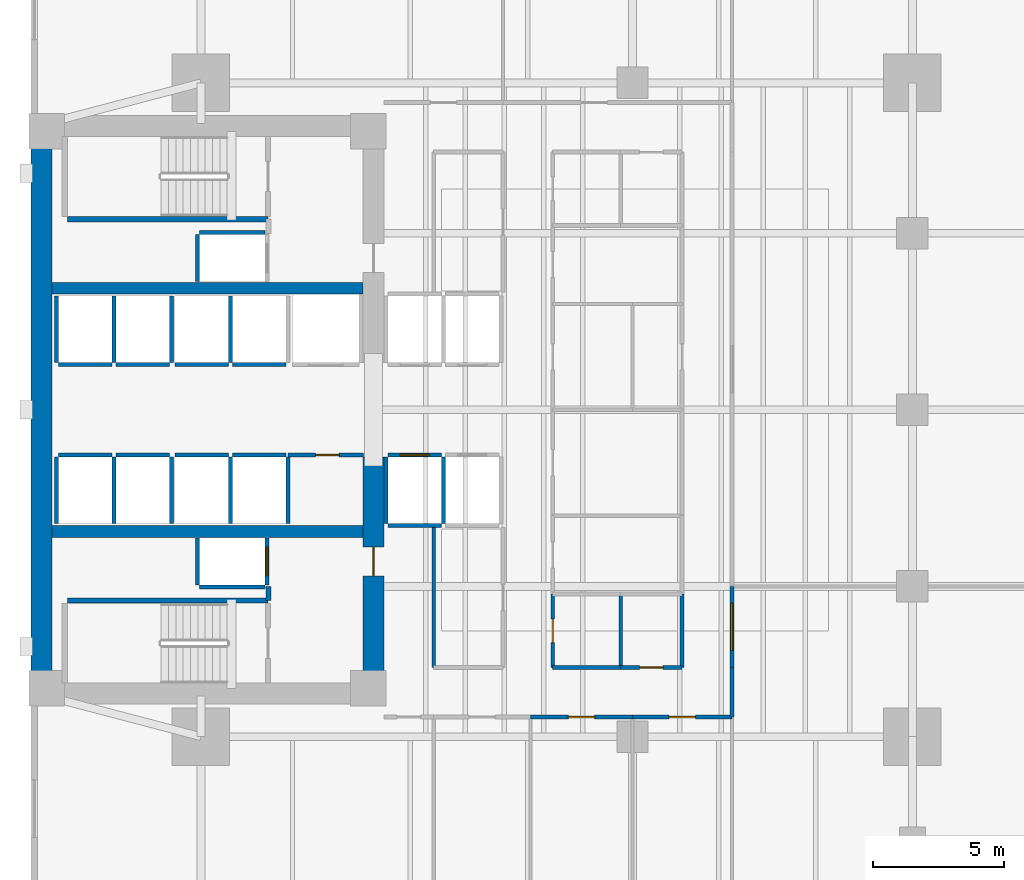
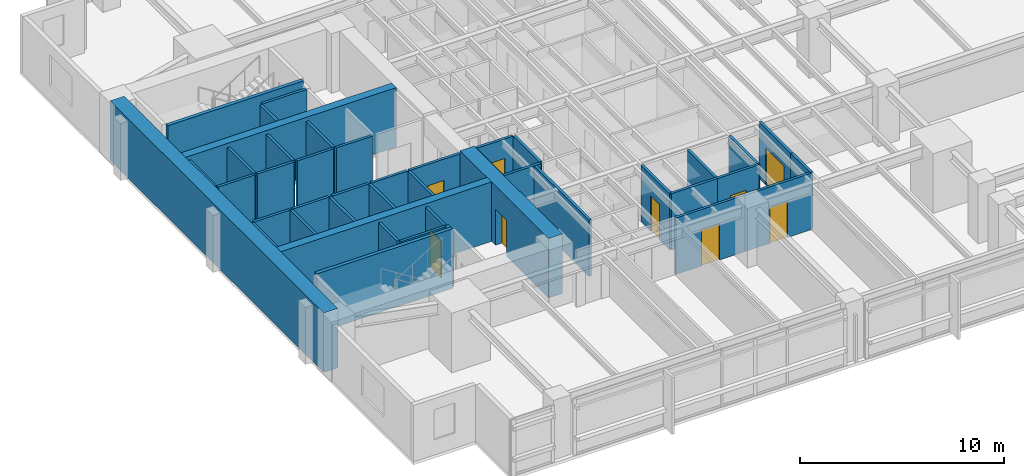
# One storey, part 8 of 15: 44 walls, 9 doors, 9 openings.
"""IFC4 building model written with IfcOpenShell, lengths in metres."""

from ifc_helpers import new_model, si_unit, direction, frame, frame_2d, origin, place, context, subcontext, project, spatial, rectangle, extrude, material, layer, layer_set, type_object, element, fill, save


model = new_model("IFC4")

# Units and contexts
model_context = context("Model", 3, precision=1e-05, world=origin(), true_north=direction((0.0, 1.0)))
body_context = subcontext(model_context, "Body", "Model", "MODEL_VIEW")
ifc_project = project(units=[si_unit("LENGTHUNIT", "METRE"), si_unit("AREAUNIT", "SQUARE_METRE"), si_unit("VOLUMEUNIT", "CUBIC_METRE"), si_unit("PLANEANGLEUNIT", "RADIAN"), si_unit("MASSUNIT", "GRAM", prefix="KILO")], contexts=[model_context])

# Site, building, storey
site_placement = place(None, origin())
site = spatial("IfcSite", under=ifc_project, at=site_placement, CompositionType="ELEMENT")
building_placement = place(site_placement, origin())
building = spatial("IfcBuilding", under=site, at=building_placement, Name="Kinhvarn Gate Tower", CompositionType="ELEMENT")
storey_placement = place(building_placement, frame((0.0, 0.0, 85.949951171875)))
storey = spatial("IfcBuildingStorey", under=building, at=storey_placement, Name="L22", CompositionType="ELEMENT", Elevation=85.949951171875)

# Walls
ifc_material_1 = material(Name="Concrete C50/60", Category="concrete")
ifc_layer_1 = layer(ifc_material_1, 0.449951171875)
ifc_layer_set_1 = layer_set([ifc_layer_1], Name="Concrete C50/60")
wall_type_1 = type_object("IfcWallType", Name="WL-CORE-450", PredefinedType="SHEAR", material=ifc_layer_set_1)
for number, where, z_axis, x_axis, name in (
    (1, (5.300048828125, 20.60009765625, 0.0), (0.0, 0.0, 1.0), (1.0, 0.0, 0.0), "Core South Spine Shear Wall L22 450 mm"),
    (2, (5.300048828125, 29.89990234375, 0.0), (0.0, 0.0, 1.0), (1.0, 0.0, 0.0), "Core North Spine Shear Wall L22 450 mm"),
):
    element("IfcWall", number, at=place(storey_placement, frame(where, z_axis=z_axis, x_axis=x_axis)), inside=storey, type_object=wall_type_1, Name=name, PredefinedType="SHEAR", context=body_context, shape_type="SweptSolid", body=[
        extrude(rectangle(XDim=11.89990234375, YDim=0.449951171875, at=frame_2d((5.949951171875, 0.0))), origin(), (0.0, 0.0, 1.0), 3.550048828125),
    ])

# Wall, opening, door
ifc_material_2 = material(Name="Concrete C70/85", Category="concrete")
ifc_layer_2 = layer(ifc_material_2, 0.800048828125)
ifc_layer_set_2 = layer_set([ifc_layer_2], Name="Concrete C70/85")
wall_type_2 = type_object("IfcWallType", Name="WL-CORE-800", PredefinedType="SHEAR", material=ifc_layer_set_2)
wall_1_placement = place(storey_placement, frame((17.60009765625, 14.800048828125, 0.0), z_axis=(0.0, 0.0, 1.0), x_axis=(0.0, 1.0, 0.0)))
wall_1 = element("IfcWall", 3, at=wall_1_placement, inside=storey, type_object=wall_type_2, Name="Core East-South Shear Pier L22 800 mm", PredefinedType="SHEAR", context=body_context, shape_type="SweptSolid", body=[
    extrude(rectangle(XDim=8.64990234375, YDim=0.800048828125, at=frame_2d((4.324951171875, 0.0))), origin(), (0.0, 0.0, 1.0), 3.550048828125),
])
opening_1_placement = place(wall_1_placement, frame((4.10009765625, 0.0, 0.0)))
opening_1 = element("IfcOpeningElement", 4, at=opening_1_placement, cuts=wall_1, Name="Opening FD-02", PredefinedType="OPENING", context=body_context, shape_type="SweptSolid", body=[
    extrude(rectangle(XDim=1.10009765625, YDim=2.14990234375, at=frame_2d((0.550048828125, 1.074951171875))), frame((0.0, 0.41015625, 0.0), z_axis=(0.0, -1.0, 0.0), x_axis=(1.0, 0.0, 0.0)), (0.0, 0.0, 1.0), 0.820068359375),
])
ifc_material_3 = material(Name="Anodised aluminium AW-6063", Category="aluminium")
door_type_1 = type_object("IfcDoorType", Name="DR-FD-1100", OperationType="NOTDEFINED", PredefinedType="DOOR", material=ifc_material_3)
door_1_placement = place(opening_1_placement, origin())
door_1 = element("IfcDoor", 5, at=door_1_placement, inside=storey, type_object=door_type_1, Name="Firefighting Lobby Core Door (L22)", OperationType="SINGLE_SWING_RIGHT", OverallHeight=2.14990234375, OverallWidth=1.10009765625, PredefinedType="DOOR", context=body_context, shape_type="SweptSolid", body=[
    extrude(rectangle(XDim=1.10009765625, YDim=2.14990234375, at=frame_2d((0.550048828125, 1.074951171875))), frame((0.0, 0.02490234375, 0.0), z_axis=(0.0, -1.0, 0.0), x_axis=(1.0, 0.0, 0.0)), (0.0, 0.0, 1.0), 0.050048828125),
])
fill(opening_1, door_1)

# Walls
ifc_layer_3 = layer(ifc_material_2, 0.800048828125)
ifc_layer_set_3 = layer_set([ifc_layer_3], Name="Concrete C70/85")
wall_type_3 = type_object("IfcWallType", Name="WL-COREX-800", PredefinedType="SHEAR", material=ifc_layer_set_3)
wall_2_placement = place(storey_placement, frame((4.89990234375, 14.800048828125, 0.0), z_axis=(0.0, 0.0, 1.0), x_axis=(0.0, 1.0, 0.0)))
element("IfcWall", 6, at=wall_2_placement, inside=storey, type_object=wall_type_3, Name="Core West Shear Wall L22 800 mm", PredefinedType="SHEAR", context=body_context, shape_type="SweptSolid", body=[
    extrude(rectangle(XDim=20.89990234375, YDim=0.800048828125, at=frame_2d((10.449951171875, 0.0))), origin(), (0.0, 0.0, 1.0), 3.550048828125),
])
ifc_material_4 = material(Name="Gypsum acoustic partition board")
ifc_layer_4 = layer(ifc_material_4, 0.14990234375)
ifc_layer_set_4 = layer_set([ifc_layer_4], Name="Gypsum acoustic partition board")
wall_type_4 = type_object("IfcWallType", Name="WL-PLM-150", PredefinedType="PLUMBINGWALL", material=ifc_layer_set_4)
wall_3_placement = place(storey_placement, frame((27.050048828125, 15.39990234375, 0.0), z_axis=(0.0, 0.0, 1.0), x_axis=(0.0, 1.0, 0.0)))
element("IfcWall", 7, at=wall_3_placement, inside=storey, type_object=wall_type_4, Name="Interior Partition PLW-150 (L22)", PredefinedType="PLUMBINGWALL", context=body_context, shape_type="SweptSolid", body=[
    extrude(rectangle(XDim=2.800048828125, YDim=0.14990234375, at=frame_2d((1.39990234375, 0.0))), origin(), (0.0, 0.0, 1.0), 3.3701171875),
])

# Wall, opening, door
ifc_layer_5 = layer(ifc_material_4, 0.14990234375)
ifc_layer_set_5 = layer_set([ifc_layer_5], Name="Gypsum acoustic partition board")
wall_type_5 = type_object("IfcWallType", Name="WL-PLM-150F", PredefinedType="PLUMBINGWALL", material=ifc_layer_set_5)
wall_4_placement = place(storey_placement, frame((24.449951171875, 15.39990234375, 0.0), z_axis=(0.0, 0.0, 1.0), x_axis=(0.0, 1.0, 0.0)))
wall_4 = element("IfcWall", 8, at=wall_4_placement, inside=storey, type_object=wall_type_5, Name="Interior Partition PLW-150F (L22)", PredefinedType="PLUMBINGWALL", context=body_context, shape_type="SweptSolid", body=[
    extrude(rectangle(XDim=2.800048828125, YDim=0.14990234375, at=frame_2d((1.39990234375, 0.0))), origin(), (0.0, 0.0, 1.0), 3.3701171875),
])
opening_2_placement = place(wall_4_placement, frame((0.949951171875, 0.0, 0.0)))
opening_2 = element("IfcOpeningElement", 9, at=opening_2_placement, cuts=wall_4, Name="Opening FD-04", PredefinedType="OPENING", context=body_context, shape_type="SweptSolid", body=[
    extrude(rectangle(XDim=0.89990234375, YDim=2.10009765625, at=frame_2d((0.449951171875, 1.050048828125))), frame((0.0, 0.0849609375, 0.0), z_axis=(0.0, -1.0, 0.0), x_axis=(1.0, 0.0, 0.0)), (0.0, 0.0, 1.0), 0.169921875),
])
door_type_2 = type_object("IfcDoorType", Name="DR-FD-900", OperationType="NOTDEFINED", PredefinedType="DOOR", material=ifc_material_3)
door_2_placement = place(opening_2_placement, origin())
door_2 = element("IfcDoor", 10, at=door_2_placement, inside=storey, type_object=door_type_2, Name="Rated Riser & Service Closet Fire Door 900x2100 mm (L22)", OperationType="SINGLE_SWING_LEFT", OverallHeight=2.10009765625, OverallWidth=0.89990234375, PredefinedType="DOOR", context=body_context, shape_type="SweptSolid", body=[
    extrude(rectangle(XDim=0.89990234375, YDim=2.10009765625, at=frame_2d((0.449951171875, 1.050048828125))), frame((0.0, 0.02490234375, 0.0), z_axis=(0.0, -1.0, 0.0), x_axis=(1.0, 0.0, 0.0)), (0.0, 0.0, 1.0), 0.050048828125),
])
fill(opening_2, door_2)

# Wall
wall_5_placement = place(storey_placement, frame((24.449951171875, 15.39990234375, 0.0), z_axis=(0.0, 0.0, 1.0), x_axis=(1.0, 0.0, 0.0)))
element("IfcWall", 11, at=wall_5_placement, inside=storey, type_object=wall_type_5, Name="Interior Partition PLW-150F (L22)", PredefinedType="PLUMBINGWALL", context=body_context, shape_type="SweptSolid", body=[
    extrude(rectangle(XDim=2.60009765625, YDim=0.14990234375, at=frame_2d((1.300048828125, 0.0))), origin(), (0.0, 0.0, 1.0), 3.3701171875),
])

# Wall, opening, door
wall_6_placement = place(storey_placement, frame((27.050048828125, 15.39990234375, 0.0), z_axis=(0.0, 0.0, 1.0), x_axis=(1.0, 0.0, 0.0)))
wall_6 = element("IfcWall", 12, at=wall_6_placement, inside=storey, type_object=wall_type_5, Name="Interior Partition PLW-150F (L22)", PredefinedType="PLUMBINGWALL", context=body_context, shape_type="SweptSolid", body=[
    extrude(rectangle(XDim=2.349853515625, YDim=0.14990234375, at=frame_2d((1.1748046875, 0.0))), origin(), (0.0, 0.0, 1.0), 3.3701171875),
])
opening_3_placement = place(wall_6_placement, frame((0.72509765625, 0.0, 0.0)))
opening_3 = element("IfcOpeningElement", 13, at=opening_3_placement, cuts=wall_6, Name="Opening FD-04", PredefinedType="OPENING", context=body_context, shape_type="SweptSolid", body=[
    extrude(rectangle(XDim=0.89990234375, YDim=2.10009765625, at=frame_2d((0.449951171875, 1.050048828125))), frame((0.0, 0.0849609375, 0.0), z_axis=(0.0, -1.0, 0.0), x_axis=(1.0, 0.0, 0.0)), (0.0, 0.0, 1.0), 0.169921875),
])
door_3_placement = place(opening_3_placement, origin())
door_3 = element("IfcDoor", 14, at=door_3_placement, inside=storey, type_object=door_type_2, Name="Rated Riser & Service Closet Fire Door 900x2100 mm (L22)", OperationType="SINGLE_SWING_LEFT", OverallHeight=2.10009765625, OverallWidth=0.89990234375, PredefinedType="DOOR", context=body_context, shape_type="SweptSolid", body=[
    extrude(rectangle(XDim=0.89990234375, YDim=2.10009765625, at=frame_2d((0.449951171875, 1.050048828125))), frame((0.0, 0.02490234375, 0.0), z_axis=(0.0, -1.0, 0.0), x_axis=(1.0, 0.0, 0.0)), (0.0, 0.0, 1.0), 0.050048828125),
])
fill(opening_3, door_3)

# Wall
wall_7_placement = place(storey_placement, frame((29.39990234375, 15.39990234375, 0.0), z_axis=(0.0, 0.0, 1.0), x_axis=(0.0, 1.0, 0.0)))
element("IfcWall", 15, at=wall_7_placement, inside=storey, type_object=wall_type_5, Name="Interior Partition PLW-150F (L22)", PredefinedType="PLUMBINGWALL", context=body_context, shape_type="SweptSolid", body=[
    extrude(rectangle(XDim=2.800048828125, YDim=0.14990234375, at=frame_2d((1.39990234375, 0.0))), origin(), (0.0, 0.0, 1.0), 3.3701171875),
])

# Wall, opening, door
ifc_layer_6 = layer(ifc_material_4, 0.14990234375)
ifc_layer_set_6 = layer_set([ifc_layer_6], Name="Gypsum acoustic partition board")
wall_type_6 = type_object("IfcWallType", Name="WL-PRT-150F", PredefinedType="PARTITIONING", material=ifc_layer_set_6)
wall_8_placement = place(storey_placement, frame((14.330078125, 23.52001953125, 0.0), z_axis=(0.0, 0.0, 1.0), x_axis=(1.0, 0.0, 0.0)))
wall_8 = element("IfcWall", 16, at=wall_8_placement, inside=storey, type_object=wall_type_6, Name="Interior Partition PW-150F (L22)", PredefinedType="PARTITIONING", context=body_context, shape_type="SweptSolid", body=[
    extrude(rectangle(XDim=2.889892578125, YDim=0.14990234375, at=frame_2d((1.44482421875, 0.0))), origin(), (0.0, 0.0, 1.0), 3.3701171875),
])
opening_4_placement = place(wall_8_placement, frame((1.052734375, 0.0, 0.0)))
opening_4 = element("IfcOpeningElement", 17, at=opening_4_placement, cuts=wall_8, Name="Opening FD-04", PredefinedType="OPENING", context=body_context, shape_type="SweptSolid", body=[
    extrude(rectangle(XDim=0.89990234375, YDim=2.10009765625, at=frame_2d((0.449951171875, 1.050048828125))), frame((0.0, 0.0849609375, 0.0), z_axis=(0.0, -1.0, 0.0), x_axis=(1.0, 0.0, 0.0)), (0.0, 0.0, 1.0), 0.169921875),
])
door_4_placement = place(opening_4_placement, origin())
door_4 = element("IfcDoor", 18, at=door_4_placement, inside=storey, type_object=door_type_2, Name="Rated Riser & Service Closet Fire Door 900x2100 mm (L22)", OperationType="SINGLE_SWING_RIGHT", OverallHeight=2.10009765625, OverallWidth=0.89990234375, PredefinedType="DOOR", context=body_context, shape_type="SweptSolid", body=[
    extrude(rectangle(XDim=0.89990234375, YDim=2.10009765625, at=frame_2d((0.449951171875, 1.050048828125))), frame((0.0, 0.02490234375, 0.0), z_axis=(0.0, -1.0, 0.0), x_axis=(1.0, 0.0, 0.0)), (0.0, 0.0, 1.0), 0.050048828125),
])
fill(opening_4, door_4)

# Wall
wall_9_placement = place(storey_placement, frame((19.89990234375, 15.39990234375, 0.0), z_axis=(0.0, 0.0, 1.0), x_axis=(0.0, 1.0, 0.0)))
element("IfcWall", 19, at=wall_9_placement, inside=storey, type_object=wall_type_6, Name="Interior Partition PW-150F (L22)", PredefinedType="PARTITIONING", context=body_context, shape_type="SweptSolid", body=[
    extrude(rectangle(XDim=5.35009765625, YDim=0.14990234375, at=frame_2d((2.675048828125, 0.0))), origin(), (0.0, 0.0, 1.0), 3.3701171875),
])

# Wall, opening, door
wall_10_placement = place(storey_placement, frame((23.60009765625, 13.5, 0.0), z_axis=(0.0, 0.0, 1.0), x_axis=(1.0, 0.0, 0.0)))
wall_10 = element("IfcWall", 20, at=wall_10_placement, inside=storey, type_object=wall_type_6, Name="Interior Partition PW-150F (L22)", PredefinedType="PARTITIONING", context=body_context, shape_type="SweptSolid", body=[
    extrude(rectangle(XDim=3.89990234375, YDim=0.14990234375, at=frame_2d((1.949951171875, 0.0))), origin(), (0.0, 0.0, 1.0), 3.3701171875),
])
opening_5_placement = place(wall_10_placement, frame((1.449951171875, 0.0, 0.0)))
opening_5 = element("IfcOpeningElement", 21, at=opening_5_placement, cuts=wall_10, Name="Opening ID-02", PredefinedType="OPENING", context=body_context, shape_type="SweptSolid", body=[
    extrude(rectangle(XDim=1.0, YDim=2.14990234375, at=frame_2d((0.5, 1.074951171875))), frame((0.0, 0.0849609375, 0.0), z_axis=(0.0, -1.0, 0.0), x_axis=(1.0, 0.0, 0.0)), (0.0, 0.0, 1.0), 0.169921875),
])
door_type_3 = type_object("IfcDoorType", Name="DR-INT-1000", OperationType="NOTDEFINED", PredefinedType="DOOR", material=ifc_material_3)
door_5_placement = place(opening_5_placement, origin())
door_5 = element("IfcDoor", 22, at=door_5_placement, inside=storey, type_object=door_type_3, Name="Standard Office & Meeting Room Door 1000x2150 mm (L22)", OperationType="SINGLE_SWING_RIGHT", OverallHeight=2.14990234375, OverallWidth=1.0, PredefinedType="DOOR", context=body_context, shape_type="SweptSolid", body=[
    extrude(rectangle(XDim=1.0, YDim=2.14990234375, at=frame_2d((0.5, 1.074951171875))), frame((0.0, 0.02490234375, 0.0), z_axis=(0.0, -1.0, 0.0), x_axis=(1.0, 0.0, 0.0)), (0.0, 0.0, 1.0), 0.050048828125),
])
fill(opening_5, door_5)

wall_11_placement = place(storey_placement, frame((27.5, 13.5, 0.0), z_axis=(0.0, 0.0, 1.0), x_axis=(1.0, 0.0, 0.0)))
wall_11 = element("IfcWall", 23, at=wall_11_placement, inside=storey, type_object=wall_type_6, Name="Interior Partition PW-150F (L22)", PredefinedType="PARTITIONING", context=body_context, shape_type="SweptSolid", body=[
    extrude(rectangle(XDim=3.800048828125, YDim=0.14990234375, at=frame_2d((1.89990234375, 0.0))), origin(), (0.0, 0.0, 1.0), 3.3701171875),
])
opening_6_placement = place(wall_11_placement, frame((1.39990234375, 0.0, 0.0)))
opening_6 = element("IfcOpeningElement", 24, at=opening_6_placement, cuts=wall_11, Name="Opening ID-02", PredefinedType="OPENING", context=body_context, shape_type="SweptSolid", body=[
    extrude(rectangle(XDim=1.0, YDim=2.14990234375, at=frame_2d((0.5, 1.074951171875))), frame((0.0, 0.0849609375, 0.0), z_axis=(0.0, -1.0, 0.0), x_axis=(1.0, 0.0, 0.0)), (0.0, 0.0, 1.0), 0.169921875),
])
door_6_placement = place(opening_6_placement, origin())
door_6 = element("IfcDoor", 25, at=door_6_placement, inside=storey, type_object=door_type_3, Name="Standard Office & Meeting Room Door 1000x2150 mm (L22)", OperationType="SINGLE_SWING_LEFT", OverallHeight=2.14990234375, OverallWidth=1.0, PredefinedType="DOOR", context=body_context, shape_type="SweptSolid", body=[
    extrude(rectangle(XDim=1.0, YDim=2.14990234375, at=frame_2d((0.5, 1.074951171875))), frame((0.0, 0.02490234375, 0.0), z_axis=(0.0, -1.0, 0.0), x_axis=(1.0, 0.0, 0.0)), (0.0, 0.0, 1.0), 0.050048828125),
])
fill(opening_6, door_6)

# Wall
wall_12_placement = place(storey_placement, frame((31.300048828125, 13.5, 0.0), z_axis=(0.0, 0.0, 1.0), x_axis=(0.0, 1.0, 0.0)))
element("IfcWall", 26, at=wall_12_placement, inside=storey, type_object=wall_type_6, Name="Interior Partition PW-150F (L22)", PredefinedType="PARTITIONING", context=body_context, shape_type="SweptSolid", body=[
    extrude(rectangle(XDim=1.89990234375, YDim=0.14990234375, at=frame_2d((0.949951171875, 0.0))), origin(), (0.0, 0.0, 1.0), 3.3701171875),
])

# Wall, opening, door
wall_13_placement = place(storey_placement, frame((31.300048828125, 15.39990234375, 0.0), z_axis=(0.0, 0.0, 1.0), x_axis=(0.0, 1.0, 0.0)))
wall_13 = element("IfcWall", 27, at=wall_13_placement, inside=storey, type_object=wall_type_6, Name="Interior Partition PW-150F (L22)", PredefinedType="PARTITIONING", context=body_context, shape_type="SweptSolid", body=[
    extrude(rectangle(XDim=3.10009765625, YDim=0.14990234375, at=frame_2d((1.550048828125, 0.0))), origin(), (0.0, 0.0, 1.0), 3.3701171875),
])
opening_7_placement = place(wall_13_placement, frame((0.64990234375, 0.0, 0.0)))
opening_7 = element("IfcOpeningElement", 28, at=opening_7_placement, cuts=wall_13, Name="Opening ID-04", PredefinedType="OPENING", context=body_context, shape_type="SweptSolid", body=[
    extrude(rectangle(XDim=1.800048828125, YDim=2.199951171875, at=frame_2d((0.89990234375, 1.10009765625))), frame((0.0, 0.0849609375, 0.0), z_axis=(0.0, -1.0, 0.0), x_axis=(1.0, 0.0, 0.0)), (0.0, 0.0, 1.0), 0.169921875),
])
ifc_material_5 = material(Name="Clear low-e double glazing", Category="glass")
door_type_4 = type_object("IfcDoorType", Name="DR-GLZ-1800", OperationType="NOTDEFINED", PredefinedType="DOOR", material=ifc_material_5)
door_7_placement = place(opening_7_placement, origin())
door_7 = element("IfcDoor", 29, at=door_7_placement, inside=storey, type_object=door_type_4, Name="Double Glazed Forum & Sky-Lobby Door 1800x2200 mm (L22)", OperationType="DOUBLE_DOOR_SINGLE_SWING", OverallHeight=2.199951171875, OverallWidth=1.800048828125, PredefinedType="DOOR", context=body_context, shape_type="SweptSolid", body=[
    extrude(rectangle(XDim=1.800048828125, YDim=2.199951171875, at=frame_2d((0.89990234375, 1.10009765625))), frame((0.0, 0.02490234375, 0.0), z_axis=(0.0, -1.0, 0.0), x_axis=(1.0, 0.0, 0.0)), (0.0, 0.0, 1.0), 0.050048828125),
])
fill(opening_7, door_7)

# Walls
ifc_layer_7 = layer(ifc_material_4, 0.199951171875)
ifc_layer_set_7 = layer_set([ifc_layer_7], Name="Gypsum acoustic partition board")
wall_type_7 = type_object("IfcWallType", Name="WL-PRT-200", PredefinedType="PARTITIONING", material=ifc_layer_set_7)
wall_14_placement = place(storey_placement, frame((13.580078125, 17.9599609375, 0.0), z_axis=(0.0, 0.0, 1.0), x_axis=(0.0, 1.0, 0.0)))
element("IfcWall", 30, at=wall_14_placement, inside=storey, type_object=wall_type_7, Name="Interior Partition PW-200 (L22)", PredefinedType="PARTITIONING", context=body_context, shape_type="SweptSolid", body=[
    extrude(rectangle(XDim=0.5400390625, YDim=0.199951171875, at=frame_2d((0.27001953125, 0.0))), origin(), (0.0, 0.0, 1.0), 3.3701171875),
])
ifc_layer_8 = layer(ifc_material_4, 0.14990234375)
ifc_layer_set_8 = layer_set([ifc_layer_8], Name="Gypsum acoustic partition board")
wall_type_8 = type_object("IfcWallType", Name="WL-SHF-150", PredefinedType="PARTITIONING", material=ifc_layer_set_8)
wall_15_placement = place(storey_placement, frame((18.14990234375, 20.824951171875, 0.0), z_axis=(0.0, 0.0, 1.0), x_axis=(1.0, 0.0, 0.0)))
element("IfcWall", 31, at=wall_15_placement, inside=storey, type_object=wall_type_8, Name="Elevator PL-01 Hoistway Wall S (L22)", PredefinedType="PARTITIONING", context=body_context, shape_type="SweptSolid", body=[
    extrude(rectangle(XDim=2.050048828125, YDim=0.14990234375, at=frame_2d((1.02490234375, 0.0))), origin(), (0.0, 0.0, 1.0), 3.3701171875),
])

# Wall, opening, door
wall_16_placement = place(storey_placement, frame((18.14990234375, 23.52490234375, 0.0), z_axis=(0.0, 0.0, 1.0), x_axis=(1.0, 0.0, 0.0)))
wall_16 = element("IfcWall", 32, at=wall_16_placement, inside=storey, type_object=wall_type_8, Name="Elevator PL-01 Landing Wall (L22)", PredefinedType="PARTITIONING", context=body_context, shape_type="SweptSolid", body=[
    extrude(rectangle(XDim=2.050048828125, YDim=0.14990234375, at=frame_2d((1.02490234375, 0.0))), origin(), (0.0, 0.0, 1.0), 3.3701171875),
])
opening_8_placement = place(wall_16_placement, frame((0.47509765625, 0.0, 0.0)))
opening_8 = element("IfcOpeningElement", 33, at=opening_8_placement, cuts=wall_16, Name="Opening LD-01", PredefinedType="OPENING", context=body_context, shape_type="SweptSolid", body=[
    extrude(rectangle(XDim=1.10009765625, YDim=2.199951171875, at=frame_2d((0.550048828125, 1.10009765625))), frame((0.0, 0.0849609375, 0.0), z_axis=(0.0, -1.0, 0.0), x_axis=(1.0, 0.0, 0.0)), (0.0, 0.0, 1.0), 0.169921875),
])
door_type_5 = type_object("IfcDoorType", Name="DR-LND-PAS", OperationType="NOTDEFINED", PredefinedType="DOOR", material=ifc_material_3)
door_8_placement = place(opening_8_placement, origin())
door_8 = element("IfcDoor", 34, at=door_8_placement, inside=storey, type_object=door_type_5, Name="Elevator PL-01 Sliding Landing Door (L22)", OperationType="DOUBLE_DOOR_SLIDING", OverallHeight=2.199951171875, OverallWidth=1.10009765625, PredefinedType="DOOR", context=body_context, shape_type="SweptSolid", body=[
    extrude(rectangle(XDim=1.10009765625, YDim=2.199951171875, at=frame_2d((0.550048828125, 1.10009765625))), frame((0.0, 0.02490234375, 0.0), z_axis=(0.0, -1.0, 0.0), x_axis=(1.0, 0.0, 0.0)), (0.0, 0.0, 1.0), 0.050048828125),
])
fill(opening_8, door_8)

# Walls
for number, where, z_axis, x_axis, name in (
    (35, (18.074951171875, 20.89990234375, 0.0), (0.0, 0.0, 1.0), (0.0, 1.0, 0.0), "Elevator PL-01 Hoistway Wall W (L22)"),
    (36, (20.27490234375, 20.89990234375, 0.0), (0.0, 0.0, 1.0), (0.0, 1.0, 0.0), "Elevator PL-01 Hoistway Wall E (L22)"),
):
    element("IfcWall", number, at=place(storey_placement, frame(where, z_axis=z_axis, x_axis=x_axis)), inside=storey, type_object=wall_type_8, Name=name, PredefinedType="PARTITIONING", context=body_context, shape_type="SweptSolid", body=[
        extrude(rectangle(XDim=2.550048828125, YDim=0.14990234375, at=frame_2d((1.27490234375, 0.0))), origin(), (0.0, 0.0, 1.0), 3.3701171875),
    ])
wall_17_placement = place(storey_placement, frame((5.550048828125, 23.52490234375, 0.0), z_axis=(0.0, 0.0, 1.0), x_axis=(1.0, 0.0, 0.0)))
element("IfcWall", 37, at=wall_17_placement, inside=storey, type_object=wall_type_8, Name="Elevator PM-05 Landing Wall (L22)", PredefinedType="PARTITIONING", context=body_context, shape_type="SweptSolid", body=[
    extrude(rectangle(XDim=2.050048828125, YDim=0.14990234375, at=frame_2d((1.02490234375, 0.0))), origin(), (0.0, 0.0, 1.0), 3.3701171875),
])
for number, where, z_axis, x_axis, name in (
    (38, (5.47509765625, 20.89990234375, 0.0), (0.0, 0.0, 1.0), (0.0, 1.0, 0.0), "Elevator PM-05 Hoistway Wall W (L22)"),
    (39, (7.675048828125, 20.89990234375, 0.0), (0.0, 0.0, 1.0), (0.0, 1.0, 0.0), "Elevator PM-05 Hoistway Wall E (L22)"),
):
    element("IfcWall", number, at=place(storey_placement, frame(where, z_axis=z_axis, x_axis=x_axis)), inside=storey, type_object=wall_type_8, Name=name, PredefinedType="PARTITIONING", context=body_context, shape_type="SweptSolid", body=[
        extrude(rectangle(XDim=2.550048828125, YDim=0.14990234375, at=frame_2d((1.27490234375, 0.0))), origin(), (0.0, 0.0, 1.0), 3.3701171875),
    ])
wall_18_placement = place(storey_placement, frame((7.75, 23.52490234375, 0.0), z_axis=(0.0, 0.0, 1.0), x_axis=(1.0, 0.0, 0.0)))
element("IfcWall", 40, at=wall_18_placement, inside=storey, type_object=wall_type_8, Name="Elevator PM-06 Landing Wall (L22)", PredefinedType="PARTITIONING", context=body_context, shape_type="SweptSolid", body=[
    extrude(rectangle(XDim=2.050048828125, YDim=0.14990234375, at=frame_2d((1.02490234375, 0.0))), origin(), (0.0, 0.0, 1.0), 3.3701171875),
])
wall_19_placement = place(storey_placement, frame((9.875, 20.89990234375, 0.0), z_axis=(0.0, 0.0, 1.0), x_axis=(0.0, 1.0, 0.0)))
element("IfcWall", 41, at=wall_19_placement, inside=storey, type_object=wall_type_8, Name="Elevator PM-06 Hoistway Wall E (L22)", PredefinedType="PARTITIONING", context=body_context, shape_type="SweptSolid", body=[
    extrude(rectangle(XDim=2.550048828125, YDim=0.14990234375, at=frame_2d((1.27490234375, 0.0))), origin(), (0.0, 0.0, 1.0), 3.3701171875),
])
wall_20_placement = place(storey_placement, frame((5.550048828125, 26.97509765625, 0.0), z_axis=(0.0, 0.0, 1.0), x_axis=(1.0, 0.0, 0.0)))
element("IfcWall", 42, at=wall_20_placement, inside=storey, type_object=wall_type_8, Name="Elevator PM-07 Landing Wall (L22)", PredefinedType="PARTITIONING", context=body_context, shape_type="SweptSolid", body=[
    extrude(rectangle(XDim=2.050048828125, YDim=0.14990234375, at=frame_2d((1.02490234375, 0.0))), origin(), (0.0, 0.0, 1.0), 3.3701171875),
])
for number, where, z_axis, x_axis, name in (
    (43, (5.47509765625, 27.050048828125, 0.0), (0.0, 0.0, 1.0), (0.0, 1.0, 0.0), "Elevator PM-07 Hoistway Wall W (L22)"),
    (44, (7.675048828125, 27.050048828125, 0.0), (0.0, 0.0, 1.0), (0.0, 1.0, 0.0), "Elevator PM-07 Hoistway Wall E (L22)"),
):
    element("IfcWall", number, at=place(storey_placement, frame(where, z_axis=z_axis, x_axis=x_axis)), inside=storey, type_object=wall_type_8, Name=name, PredefinedType="PARTITIONING", context=body_context, shape_type="SweptSolid", body=[
        extrude(rectangle(XDim=2.550048828125, YDim=0.14990234375, at=frame_2d((1.27490234375, 0.0))), origin(), (0.0, 0.0, 1.0), 3.3701171875),
    ])
wall_21_placement = place(storey_placement, frame((7.75, 26.97509765625, 0.0), z_axis=(0.0, 0.0, 1.0), x_axis=(1.0, 0.0, 0.0)))
element("IfcWall", 45, at=wall_21_placement, inside=storey, type_object=wall_type_8, Name="Elevator PM-08 Landing Wall (L22)", PredefinedType="PARTITIONING", context=body_context, shape_type="SweptSolid", body=[
    extrude(rectangle(XDim=2.050048828125, YDim=0.14990234375, at=frame_2d((1.02490234375, 0.0))), origin(), (0.0, 0.0, 1.0), 3.3701171875),
])
wall_22_placement = place(storey_placement, frame((9.875, 27.050048828125, 0.0), z_axis=(0.0, 0.0, 1.0), x_axis=(0.0, 1.0, 0.0)))
element("IfcWall", 46, at=wall_22_placement, inside=storey, type_object=wall_type_8, Name="Elevator PM-08 Hoistway Wall E (L22)", PredefinedType="PARTITIONING", context=body_context, shape_type="SweptSolid", body=[
    extrude(rectangle(XDim=2.550048828125, YDim=0.14990234375, at=frame_2d((1.27490234375, 0.0))), origin(), (0.0, 0.0, 1.0), 3.3701171875),
])
wall_23_placement = place(storey_placement, frame((10.0, 23.52490234375, 0.0), z_axis=(0.0, 0.0, 1.0), x_axis=(1.0, 0.0, 0.0)))
element("IfcWall", 47, at=wall_23_placement, inside=storey, type_object=wall_type_8, Name="Elevator PH-09 Landing Wall (L22)", PredefinedType="PARTITIONING", context=body_context, shape_type="SweptSolid", body=[
    extrude(rectangle(XDim=2.050048828125, YDim=0.14990234375, at=frame_2d((1.02490234375, 0.0))), origin(), (0.0, 0.0, 1.0), 3.3701171875),
])
wall_24_placement = place(storey_placement, frame((12.125, 20.89990234375, 0.0), z_axis=(0.0, 0.0, 1.0), x_axis=(0.0, 1.0, 0.0)))
element("IfcWall", 48, at=wall_24_placement, inside=storey, type_object=wall_type_8, Name="Elevator PH-09 Hoistway Wall E (L22)", PredefinedType="PARTITIONING", context=body_context, shape_type="SweptSolid", body=[
    extrude(rectangle(XDim=2.550048828125, YDim=0.14990234375, at=frame_2d((1.27490234375, 0.0))), origin(), (0.0, 0.0, 1.0), 3.3701171875),
])
wall_25_placement = place(storey_placement, frame((12.199951171875, 23.52490234375, 0.0), z_axis=(0.0, 0.0, 1.0), x_axis=(1.0, 0.0, 0.0)))
element("IfcWall", 49, at=wall_25_placement, inside=storey, type_object=wall_type_8, Name="Elevator PH-10 Landing Wall (L22)", PredefinedType="PARTITIONING", context=body_context, shape_type="SweptSolid", body=[
    extrude(rectangle(XDim=2.050048828125, YDim=0.14990234375, at=frame_2d((1.02490234375, 0.0))), origin(), (0.0, 0.0, 1.0), 3.3701171875),
])
wall_26_placement = place(storey_placement, frame((14.324951171875, 20.89990234375, 0.0), z_axis=(0.0, 0.0, 1.0), x_axis=(0.0, 1.0, 0.0)))
element("IfcWall", 50, at=wall_26_placement, inside=storey, type_object=wall_type_8, Name="Elevator PH-10 Hoistway Wall E (L22)", PredefinedType="PARTITIONING", context=body_context, shape_type="SweptSolid", body=[
    extrude(rectangle(XDim=2.550048828125, YDim=0.14990234375, at=frame_2d((1.27490234375, 0.0))), origin(), (0.0, 0.0, 1.0), 3.3701171875),
])
wall_27_placement = place(storey_placement, frame((10.0, 26.97509765625, 0.0), z_axis=(0.0, 0.0, 1.0), x_axis=(1.0, 0.0, 0.0)))
element("IfcWall", 51, at=wall_27_placement, inside=storey, type_object=wall_type_8, Name="Elevator PH-11 Landing Wall (L22)", PredefinedType="PARTITIONING", context=body_context, shape_type="SweptSolid", body=[
    extrude(rectangle(XDim=2.050048828125, YDim=0.14990234375, at=frame_2d((1.02490234375, 0.0))), origin(), (0.0, 0.0, 1.0), 3.3701171875),
])
wall_28_placement = place(storey_placement, frame((12.125, 27.050048828125, 0.0), z_axis=(0.0, 0.0, 1.0), x_axis=(0.0, 1.0, 0.0)))
element("IfcWall", 52, at=wall_28_placement, inside=storey, type_object=wall_type_8, Name="Elevator PH-11 Hoistway Wall E (L22)", PredefinedType="PARTITIONING", context=body_context, shape_type="SweptSolid", body=[
    extrude(rectangle(XDim=2.550048828125, YDim=0.14990234375, at=frame_2d((1.27490234375, 0.0))), origin(), (0.0, 0.0, 1.0), 3.3701171875),
])
wall_29_placement = place(storey_placement, frame((12.199951171875, 26.97509765625, 0.0), z_axis=(0.0, 0.0, 1.0), x_axis=(1.0, 0.0, 0.0)))
element("IfcWall", 53, at=wall_29_placement, inside=storey, type_object=wall_type_8, Name="Elevator PH-12 Landing Wall (L22)", PredefinedType="PARTITIONING", context=body_context, shape_type="SweptSolid", body=[
    extrude(rectangle(XDim=2.050048828125, YDim=0.14990234375, at=frame_2d((1.02490234375, 0.0))), origin(), (0.0, 0.0, 1.0), 3.3701171875),
])
wall_30_placement = place(storey_placement, frame((10.949951171875, 18.47509765625, 0.0), z_axis=(0.0, 0.0, 1.0), x_axis=(1.0, 0.0, 0.0)))
element("IfcWall", 54, at=wall_30_placement, inside=storey, type_object=wall_type_8, Name="Elevator FF1 Hoistway Wall S (L22)", PredefinedType="PARTITIONING", context=body_context, shape_type="SweptSolid", body=[
    extrude(rectangle(XDim=2.5, YDim=0.14990234375, at=frame_2d((1.25, 0.0))), origin(), (0.0, 0.0, 1.0), 3.3701171875),
])
wall_31_placement = place(storey_placement, frame((10.875, 18.550048828125, 0.0), z_axis=(0.0, 0.0, 1.0), x_axis=(0.0, 1.0, 0.0)))
element("IfcWall", 55, at=wall_31_placement, inside=storey, type_object=wall_type_8, Name="Elevator FF1 Hoistway Wall W (L22)", PredefinedType="PARTITIONING", context=body_context, shape_type="SweptSolid", body=[
    extrude(rectangle(XDim=1.800048828125, YDim=0.14990234375, at=frame_2d((0.89990234375, 0.0))), origin(), (0.0, 0.0, 1.0), 3.3701171875),
])

# Wall, opening, door
wall_32_placement = place(storey_placement, frame((13.52490234375, 18.550048828125, 0.0), z_axis=(0.0, 0.0, 1.0), x_axis=(0.0, 1.0, 0.0)))
wall_32 = element("IfcWall", 56, at=wall_32_placement, inside=storey, type_object=wall_type_8, Name="Elevator FF1 Landing Wall (L22)", PredefinedType="PARTITIONING", context=body_context, shape_type="SweptSolid", body=[
    extrude(rectangle(XDim=1.800048828125, YDim=0.14990234375, at=frame_2d((0.89990234375, 0.0))), origin(), (0.0, 0.0, 1.0), 3.3701171875),
])
opening_9_placement = place(wall_32_placement, frame((0.35009765625, 0.0, 0.0)))
opening_9 = element("IfcOpeningElement", 57, at=opening_9_placement, cuts=wall_32, Name="Opening LD-03", PredefinedType="OPENING", context=body_context, shape_type="SweptSolid", body=[
    extrude(rectangle(XDim=1.10009765625, YDim=2.199951171875, at=frame_2d((0.550048828125, 1.10009765625))), frame((0.0, 0.0849609375, 0.0), z_axis=(0.0, -1.0, 0.0), x_axis=(1.0, 0.0, 0.0)), (0.0, 0.0, 1.0), 0.169921875),
])
door_type_6 = type_object("IfcDoorType", Name="DR-LND-FF", OperationType="NOTDEFINED", PredefinedType="DOOR", material=ifc_material_3)
door_9_placement = place(opening_9_placement, origin())
door_9 = element("IfcDoor", 58, at=door_9_placement, inside=storey, type_object=door_type_6, Name="Elevator FF1 Sliding Landing Door (L22)", OperationType="DOUBLE_DOOR_SLIDING", OverallHeight=2.199951171875, OverallWidth=1.10009765625, PredefinedType="DOOR", context=body_context, shape_type="SweptSolid", body=[
    extrude(rectangle(XDim=1.10009765625, YDim=2.199951171875, at=frame_2d((0.550048828125, 1.10009765625))), frame((0.0, 0.02490234375, 0.0), z_axis=(0.0, -1.0, 0.0), x_axis=(1.0, 0.0, 0.0)), (0.0, 0.0, 1.0), 0.050048828125),
])
fill(opening_9, door_9)

# Walls
wall_33_placement = place(storey_placement, frame((10.949951171875, 32.02490234375, 0.0), z_axis=(0.0, 0.0, 1.0), x_axis=(1.0, 0.0, 0.0)))
element("IfcWall", 59, at=wall_33_placement, inside=storey, type_object=wall_type_8, Name="Elevator FF2 Hoistway Wall N (L22)", PredefinedType="PARTITIONING", context=body_context, shape_type="SweptSolid", body=[
    extrude(rectangle(XDim=2.5, YDim=0.14990234375, at=frame_2d((1.25, 0.0))), origin(), (0.0, 0.0, 1.0), 3.3701171875),
])
wall_34_placement = place(storey_placement, frame((10.875, 30.14990234375, 0.0), z_axis=(0.0, 0.0, 1.0), x_axis=(0.0, 1.0, 0.0)))
element("IfcWall", 60, at=wall_34_placement, inside=storey, type_object=wall_type_8, Name="Elevator FF2 Hoistway Wall W (L22)", PredefinedType="PARTITIONING", context=body_context, shape_type="SweptSolid", body=[
    extrude(rectangle(XDim=1.800048828125, YDim=0.14990234375, at=frame_2d((0.89990234375, 0.0))), origin(), (0.0, 0.0, 1.0), 3.3701171875),
])
ifc_material_6 = material(Name="Concrete C40/50", Category="concrete")
ifc_layer_9 = layer(ifc_material_6, 0.199951171875)
ifc_layer_set_9 = layer_set([ifc_layer_9], Name="Concrete C40/50")
wall_type_9 = type_object("IfcWallType", Name="WL-SHF-200", PredefinedType="SOLIDWALL", material=ifc_layer_set_9)
for number, where, z_axis, x_axis, name in (
    (61, (5.89990234375, 17.9599609375, 0.0), (0.0, 0.0, 1.0), (1.0, 0.0, 0.0), "Stair ST1 North Shaft Wall (L22)"),
    (62, (5.89990234375, 32.5400390625, 0.0), (0.0, 0.0, 1.0), (1.0, 0.0, 0.0), "Stair ST2 South Shaft Wall (L22)"),
):
    element("IfcWall", number, at=place(storey_placement, frame(where, z_axis=z_axis, x_axis=x_axis)), inside=storey, type_object=wall_type_9, Name=name, PredefinedType="SOLIDWALL", context=body_context, shape_type="SweptSolid", body=[
        extrude(rectangle(XDim=7.66015625, YDim=0.199951171875, at=frame_2d((3.830078125, 0.0))), origin(), (0.0, 0.0, 1.0), 3.550048828125),
    ])

save(model, "model.ifc")
